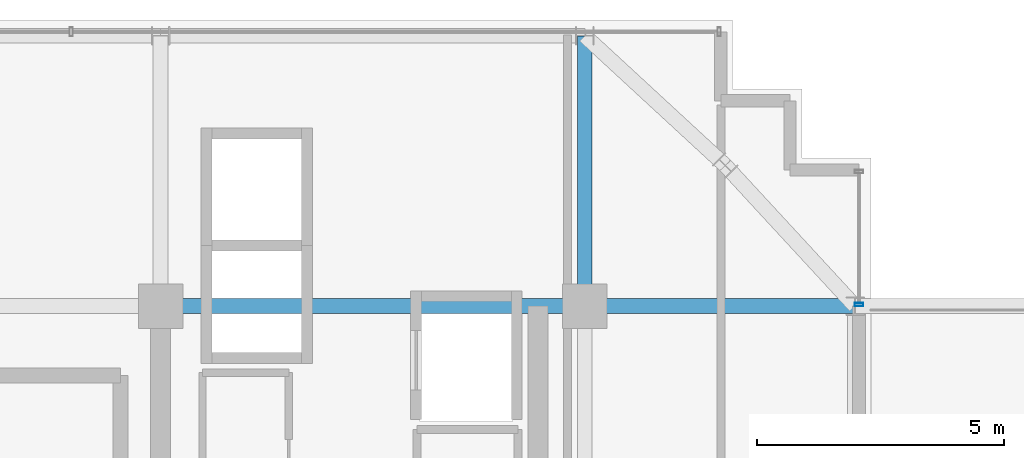
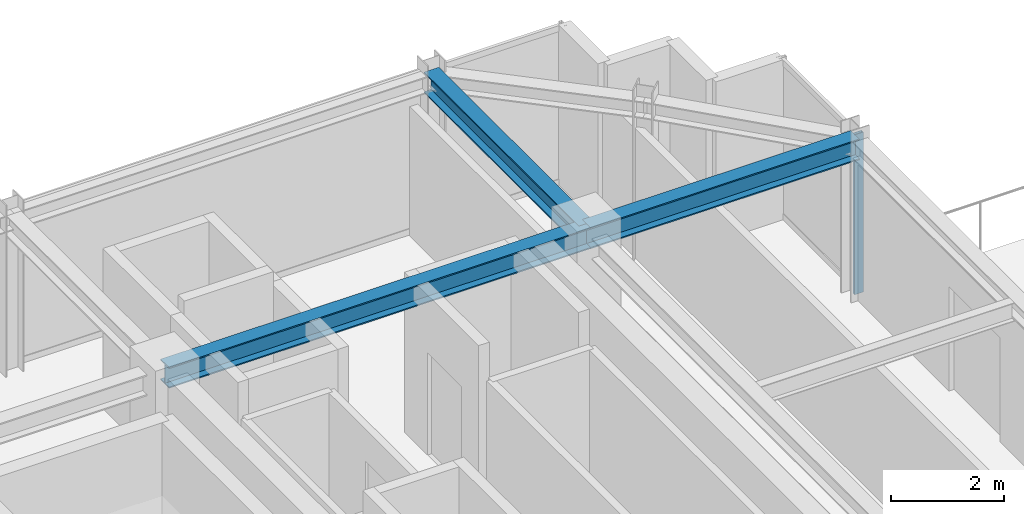
# One storey, part 23 of 32: 3 beams, 1 member, 1 element without a shape of its own.
"""IFC4 building model written with IfcOpenShell, lengths in metres."""

from ifc_helpers import new_model, si_unit, direction, frame, origin, origin_2d, place, context, subcontext, project, spatial, hollow_rectangle, i_section, extrude, source, transform, mapped, material, material_profile, profile_set, type_object, element, aggregate, save


model = new_model("IFC4")

# Units and contexts
model_context = context("Model", 3, precision=1e-05, world=origin(), true_north=direction((0.0, 1.0)))
body_context = subcontext(model_context, "Body", "Model", "MODEL_VIEW")
ifc_project = project(units=[si_unit("LENGTHUNIT", "METRE"), si_unit("AREAUNIT", "SQUARE_METRE"), si_unit("VOLUMEUNIT", "CUBIC_METRE"), si_unit("PLANEANGLEUNIT", "RADIAN"), si_unit("MASSUNIT", "GRAM", prefix="KILO")], contexts=[model_context])

# Site, building, storey
site_placement = place(None, origin())
site = spatial("IfcSite", under=ifc_project, at=site_placement, CompositionType="ELEMENT")
building_placement = place(site_placement, origin())
building = spatial("IfcBuilding", under=site, at=building_placement, Name="Nahalor Promenade Grand Hotel", CompositionType="ELEMENT")
storey_placement = place(building_placement, frame((0.0, 0.0, 285.050048828125)))
storey = spatial("IfcBuildingStorey", under=building, at=storey_placement, Name="L73", CompositionType="ELEMENT", Elevation=285.050048828125)

# Beams
ifc_material_1 = material(Name="Steel S355JR", Category="steel")
ifc_material_profile_1 = material_profile(ifc_material_1, i_section(OverallWidth=0.3, OverallDepth=0.45, WebThickness=0.014, FlangeThickness=0.026, at=origin_2d()), Name="HEB 450")
ifc_profile_set_1 = profile_set([ifc_material_profile_1], Name="Steel S355JR")
beam_type = type_object("IfcBeamType", Name="Beam-Girder-HEB450", PredefinedType="BEAM", material=ifc_profile_set_1)
shared_shape_1 = source(origin(), body_context, "Body", "SweptSolid", [
    extrude(i_section(OverallWidth=0.3, OverallDepth=0.45, WebThickness=0.014, FlangeThickness=0.026, at=origin_2d()), origin(), (0.0, 0.0, 1.0), 8.60009765625),
])
beam_placement = place(storey_placement, frame((8.39990234375, 17.0, 3.224853515625), z_axis=(1.0, 0.0, 0.0), x_axis=(0.0, 1.0, 0.0)))
element("IfcBeam", 1, at=beam_placement, inside=storey, type_object=beam_type, Name="BM-L73-GX-3-5", PredefinedType="BEAM", context=body_context, shape_type="MappedRepresentation", body=[
    mapped(shared_shape_1, transform((0.0, 0.0, 0.0), scale=1.0)),
])
shared_shape_2 = source(origin(), body_context, "Body", "SweptSolid", [
    extrude(i_section(OverallWidth=0.3, OverallDepth=0.45, WebThickness=0.014, FlangeThickness=0.026, at=origin_2d()), origin(), (0.0, 0.0, 1.0), 5.47998046875),
])
for number, where, z_axis, x_axis, name in (
    (2, (17.0, 17.0, 3.224853515625), (1.0, 0.0, 0.0), (0.0, 1.0, 0.0), "BM-L73-GX-3-6"),
    (3, (17.0, 17.0, 3.224853515625), (0.0, 1.0, 0.0), (-1.0, 0.0, 0.0), "BM-L73-GY-5-4"),
):
    element("IfcBeam", number, at=place(storey_placement, frame(where, z_axis=z_axis, x_axis=x_axis)), inside=storey, type_object=beam_type, Name=name, PredefinedType="BEAM", context=body_context, shape_type="MappedRepresentation", body=[
        mapped(shared_shape_2, transform((0.0, 0.0, 0.0), scale=1.0)),
    ])

# Curtain wall, member
ifc_material_2 = material(Name="Anodised Bronze Aluminium EN AW-6063 T6", Category="aluminium")
curtain_wall_type = type_object("IfcCurtainWallType", Name="CW2 Typical Hotel Flush Bronze Unitised Curtain Wall", PredefinedType="USERDEFINED", material=ifc_material_2)
curtain_wall_placement = place(storey_placement, origin())
curtain_wall = element("IfcCurtainWall", 4, at=curtain_wall_placement, inside=storey, type_object=curtain_wall_type, Name="L73 Curtain Wall CW-L73-E-3", ObjectType="UNITISED_CURTAIN_WALL", PredefinedType="USERDEFINED")
ifc_material_profile_2 = material_profile(ifc_material_2, hollow_rectangle(XDim=0.065, YDim=0.18, WallThickness=0.004, at=origin_2d()), Name="CWM 65x180x4")
ifc_profile_set_2 = profile_set([ifc_material_profile_2], Name="Anodised Bronze Aluminium EN AW-6063 T6")
member_type = type_object("IfcMemberType", Name="CWM2 Typical Bronze Mullion 65x180", PredefinedType="MULLION", material=ifc_profile_set_2)
shared_shape_3 = source(origin(), body_context, "Body", "SweptSolid", [
    extrude(hollow_rectangle(XDim=0.065, YDim=0.18, WallThickness=0.004, at=origin_2d()), origin(), (0.0, 0.0, 1.0), 3.449951171875),
])
member_placement = place(storey_placement, frame((22.56005859375, 17.032470703125, 0.0), z_axis=(0.0, 0.0, 1.0), x_axis=(0.0, 1.0, 0.0)))
member = element("IfcMember", 5, at=member_placement, type_object=member_type, Name="CW-L73-E-3 Mullion 0", PredefinedType="MULLION", context=body_context, shape_type="MappedRepresentation", body=[
    mapped(shared_shape_3, transform((0.0, 0.0, 0.0), scale=1.0)),
])
aggregate(curtain_wall, [member])

save(model, "model.ifc")
